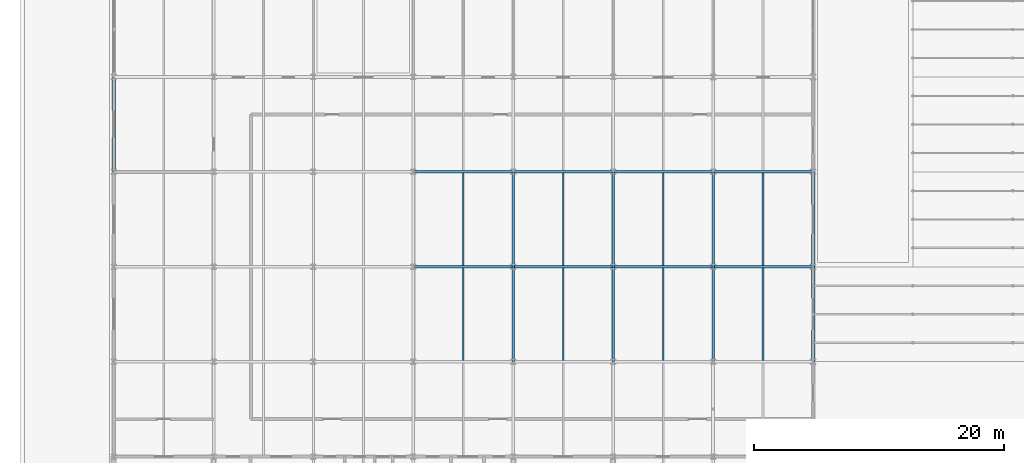
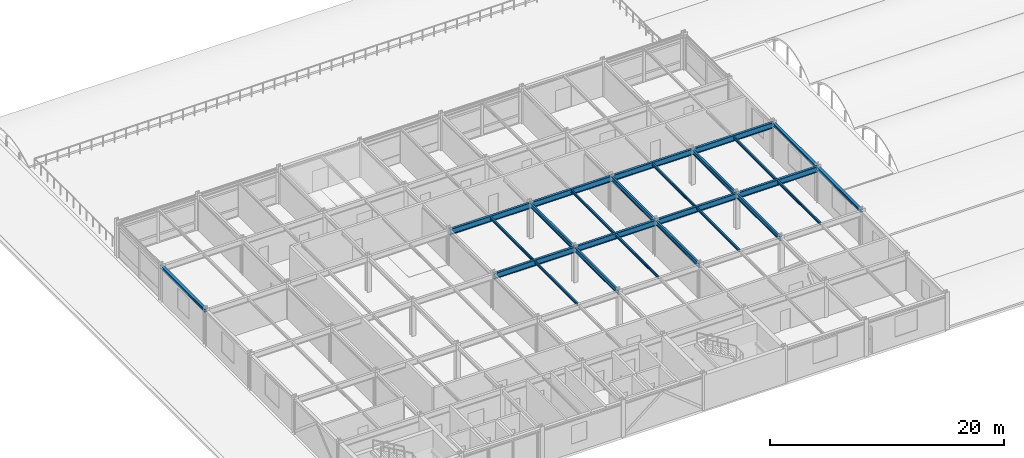
# One storey, part 4 of 46: 25 beams.
"""IFC4 building model written with IfcOpenShell, lengths in metres."""

from ifc_helpers import new_model, si_unit, direction, frame, origin, origin_2d, place, context, subcontext, project, spatial, i_section, extrude, material, material_profile, profile_set, type_object, element, save


model = new_model("IFC4")

# Units and contexts
model_context = context("Model", 3, precision=1e-05, world=origin(), true_north=direction((0.0, 1.0)))
body_context = subcontext(model_context, "Body", "Model", "MODEL_VIEW")
ifc_project = project(units=[si_unit("LENGTHUNIT", "METRE"), si_unit("AREAUNIT", "SQUARE_METRE"), si_unit("VOLUMEUNIT", "CUBIC_METRE"), si_unit("PLANEANGLEUNIT", "RADIAN"), si_unit("MASSUNIT", "GRAM", prefix="KILO")], contexts=[model_context])

# Site, building, storey
site_placement = place(None, origin())
site = spatial("IfcSite", under=ifc_project, at=site_placement, CompositionType="ELEMENT")
building_placement = place(site_placement, origin())
building = spatial("IfcBuilding", under=site, at=building_placement, Name="Shalkamar Park Central Library", CompositionType="ELEMENT")
storey_placement = place(building_placement, frame((0.0, 0.0, 20.39990234375)))
storey = spatial("IfcBuildingStorey", under=building, at=storey_placement, Name="L05", CompositionType="ELEMENT", Elevation=20.39990234375)

# Beams
ifc_material = material(Name="Steel S355", Category="steel")
ifc_material_profile_1 = material_profile(ifc_material, i_section(OverallWidth=0.135009765625, OverallDepth=0.27001953125, WebThickness=0.006591796875, FlangeThickness=0.01025390625, FilletRadius=0.014892578125, at=origin_2d()), Name="IPE 270")
ifc_profile_set_1 = profile_set([ifc_material_profile_1], Name="Steel S355")
beam_type_1 = type_object("IfcBeamType", Name="Composite Floor Joist IPE270", PredefinedType="JOIST", material=ifc_profile_set_1)
for number, where, z_axis, x_axis, name in (
    (1, (193.0, 262.907958984375, 3.525146484375), (0.0, 1.0, 0.0), (-1.0, 0.0, 0.0), "Composite Joist 10/D-1 (L05)"),
    (2, (193.0, 270.508056640625, 3.525146484375), (0.0, 1.0, 0.0), (-1.0, 0.0, 0.0), "Composite Joist 10/E-1 (L05)"),
    (3, (201.0, 262.907958984375, 3.525146484375), (0.0, 1.0, 0.0), (-1.0, 0.0, 0.0), "Composite Joist 11/D-1 (L05)"),
    (4, (201.0, 270.508056640625, 3.525146484375), (0.0, 1.0, 0.0), (-1.0, 0.0, 0.0), "Composite Joist 11/E-1 (L05)"),
    (5, (209.0, 262.907958984375, 3.525146484375), (0.0, 1.0, 0.0), (-1.0, 0.0, 0.0), "Composite Joist 12/D-1 (L05)"),
    (6, (209.0, 270.508056640625, 3.525146484375), (0.0, 1.0, 0.0), (-1.0, 0.0, 0.0), "Composite Joist 12/E-1 (L05)"),
    (7, (217.0, 262.907958984375, 3.525146484375), (0.0, 1.0, 0.0), (-1.0, 0.0, 0.0), "Composite Joist 13/D-1 (L05)"),
    (8, (217.0, 270.508056640625, 3.525146484375), (0.0, 1.0, 0.0), (-1.0, 0.0, 0.0), "Composite Joist 13/E-1 (L05)"),
):
    element("IfcBeam", number, at=place(storey_placement, frame(where, z_axis=z_axis, x_axis=x_axis)), inside=storey, type_object=beam_type_1, Name=name, PredefinedType="JOIST", context=body_context, shape_type="SweptSolid", body=[
        extrude(i_section(OverallWidth=0.135009765625, OverallDepth=0.27001953125, WebThickness=0.006591796875, FlangeThickness=0.01025390625, FilletRadius=0.014892578125, at=origin_2d()), origin(), (0.0, 0.0, 1.0), 7.384033203125),
    ])
ifc_material_profile_2 = material_profile(ifc_material, i_section(OverallWidth=0.280029296875, OverallDepth=0.27001953125, WebThickness=0.008056640625, FlangeThickness=0.012939453125, FilletRadius=0.02392578125, at=origin_2d()), Name="HEA 280")
ifc_profile_set_2 = profile_set([ifc_material_profile_2], Name="Steel S355")
beam_type_2 = type_object("IfcBeamType", Name="Perimeter Spandrel Beam HEA280", PredefinedType="SPANDREL", material=ifc_profile_set_2)
beam_1_placement = place(storey_placement, frame((165.0, 278.0, 3.525146484375), z_axis=(0.0, 1.0, 0.0), x_axis=(-1.0, 0.0, 0.0)))
element("IfcBeam", 9, at=beam_1_placement, inside=storey, type_object=beam_type_2, Name="Beam 07:F-G (L05)", PredefinedType="SPANDREL", context=body_context, shape_type="SweptSolid", body=[
    extrude(i_section(OverallWidth=0.280029296875, OverallDepth=0.27001953125, WebThickness=0.008056640625, FlangeThickness=0.012939453125, FilletRadius=0.02392578125, at=origin_2d()), origin(), (0.0, 0.0, 1.0), 7.60009765625),
])
beam_2_placement = place(storey_placement, frame((221.0, 262.800048828125, 3.525146484375), z_axis=(0.0, 1.0, 0.0), x_axis=(-1.0, 0.0, 0.0)))
element("IfcBeam", 10, at=beam_2_placement, inside=storey, type_object=beam_type_2, Name="Beam 14:D-E (L05)", PredefinedType="SPANDREL", context=body_context, shape_type="SweptSolid", body=[
    extrude(i_section(OverallWidth=0.280029296875, OverallDepth=0.27001953125, WebThickness=0.008056640625, FlangeThickness=0.012939453125, FilletRadius=0.02392578125, at=origin_2d()), origin(), (0.0, 0.0, 1.0), 7.599853515625),
])
beam_3_placement = place(storey_placement, frame((221.0, 270.39990234375, 3.525146484375), z_axis=(0.0, 1.0, 0.0), x_axis=(-1.0, 0.0, 0.0)))
element("IfcBeam", 11, at=beam_3_placement, inside=storey, type_object=beam_type_2, Name="Beam 14:E-F (L05)", PredefinedType="SPANDREL", context=body_context, shape_type="SweptSolid", body=[
    extrude(i_section(OverallWidth=0.280029296875, OverallDepth=0.27001953125, WebThickness=0.008056640625, FlangeThickness=0.012939453125, FilletRadius=0.02392578125, at=origin_2d()), origin(), (0.0, 0.0, 1.0), 7.60009765625),
])
ifc_material_profile_3 = material_profile(ifc_material, i_section(OverallWidth=0.18994140625, OverallDepth=0.449951171875, WebThickness=0.009521484375, FlangeThickness=0.0146484375, FilletRadius=0.02099609375, at=origin_2d()), Name="IPE 450")
ifc_profile_set_3 = profile_set([ifc_material_profile_3], Name="Steel S355")
beam_type_3 = type_object("IfcBeamType", Name="Primary Girder IPE450", PredefinedType="BEAM", material=ifc_profile_set_3)
beam_4_placement = place(storey_placement, frame((197.0, 262.800048828125, 3.43505859375), z_axis=(0.0, 1.0, 0.0), x_axis=(-1.0, 0.0, 0.0)))
element("IfcBeam", 12, at=beam_4_placement, inside=storey, type_object=beam_type_3, Name="Beam 11:D-E (L05)", PredefinedType="BEAM", context=body_context, shape_type="SweptSolid", body=[
    extrude(i_section(OverallWidth=0.18994140625, OverallDepth=0.449951171875, WebThickness=0.009521484375, FlangeThickness=0.0146484375, FilletRadius=0.02099609375, at=origin_2d()), origin(), (0.0, 0.0, 1.0), 7.599853515625),
])
beam_5_placement = place(storey_placement, frame((197.0, 270.39990234375, 3.43505859375), z_axis=(0.0, 1.0, 0.0), x_axis=(-1.0, 0.0, 0.0)))
element("IfcBeam", 13, at=beam_5_placement, inside=storey, type_object=beam_type_3, Name="Beam 11:E-F (L05)", PredefinedType="BEAM", context=body_context, shape_type="SweptSolid", body=[
    extrude(i_section(OverallWidth=0.18994140625, OverallDepth=0.449951171875, WebThickness=0.009521484375, FlangeThickness=0.0146484375, FilletRadius=0.02099609375, at=origin_2d()), origin(), (0.0, 0.0, 1.0), 7.60009765625),
])
beam_6_placement = place(storey_placement, frame((205.0, 262.800048828125, 3.43505859375), z_axis=(0.0, 1.0, 0.0), x_axis=(-1.0, 0.0, 0.0)))
element("IfcBeam", 14, at=beam_6_placement, inside=storey, type_object=beam_type_3, Name="Beam 12:D-E (L05)", PredefinedType="BEAM", context=body_context, shape_type="SweptSolid", body=[
    extrude(i_section(OverallWidth=0.18994140625, OverallDepth=0.449951171875, WebThickness=0.009521484375, FlangeThickness=0.0146484375, FilletRadius=0.02099609375, at=origin_2d()), origin(), (0.0, 0.0, 1.0), 7.599853515625),
])
beam_7_placement = place(storey_placement, frame((205.0, 270.39990234375, 3.43505859375), z_axis=(0.0, 1.0, 0.0), x_axis=(-1.0, 0.0, 0.0)))
element("IfcBeam", 15, at=beam_7_placement, inside=storey, type_object=beam_type_3, Name="Beam 12:E-F (L05)", PredefinedType="BEAM", context=body_context, shape_type="SweptSolid", body=[
    extrude(i_section(OverallWidth=0.18994140625, OverallDepth=0.449951171875, WebThickness=0.009521484375, FlangeThickness=0.0146484375, FilletRadius=0.02099609375, at=origin_2d()), origin(), (0.0, 0.0, 1.0), 7.60009765625),
])
beam_8_placement = place(storey_placement, frame((213.0, 262.800048828125, 3.43505859375), z_axis=(0.0, 1.0, 0.0), x_axis=(-1.0, 0.0, 0.0)))
element("IfcBeam", 16, at=beam_8_placement, inside=storey, type_object=beam_type_3, Name="Beam 13:D-E (L05)", PredefinedType="BEAM", context=body_context, shape_type="SweptSolid", body=[
    extrude(i_section(OverallWidth=0.18994140625, OverallDepth=0.449951171875, WebThickness=0.009521484375, FlangeThickness=0.0146484375, FilletRadius=0.02099609375, at=origin_2d()), origin(), (0.0, 0.0, 1.0), 7.599853515625),
])
beam_9_placement = place(storey_placement, frame((213.0, 270.39990234375, 3.43505859375), z_axis=(0.0, 1.0, 0.0), x_axis=(-1.0, 0.0, 0.0)))
element("IfcBeam", 17, at=beam_9_placement, inside=storey, type_object=beam_type_3, Name="Beam 13:E-F (L05)", PredefinedType="BEAM", context=body_context, shape_type="SweptSolid", body=[
    extrude(i_section(OverallWidth=0.18994140625, OverallDepth=0.449951171875, WebThickness=0.009521484375, FlangeThickness=0.0146484375, FilletRadius=0.02099609375, at=origin_2d()), origin(), (0.0, 0.0, 1.0), 7.60009765625),
])
ifc_material_profile_4 = material_profile(ifc_material, i_section(OverallWidth=0.219970703125, OverallDepth=0.60009765625, WebThickness=0.011962890625, FlangeThickness=0.01904296875, FilletRadius=0.02392578125, at=origin_2d()), Name="IPE 600")
ifc_profile_set_4 = profile_set([ifc_material_profile_4], Name="Steel S355")
beam_type_4 = type_object("IfcBeamType", Name="Primary Girder IPE600", PredefinedType="BEAM", material=ifc_profile_set_4)
for number, where, z_axis, x_axis, name in (
    (18, (189.0, 270.39990234375, 3.360107421875), (1.0, 0.0, 0.0), (0.0, 1.0, 0.0), "Beam E:10-11 (L05)"),
    (19, (197.0, 270.39990234375, 3.360107421875), (1.0, 0.0, 0.0), (0.0, 1.0, 0.0), "Beam E:11-12 (L05)"),
    (20, (205.0, 270.39990234375, 3.360107421875), (1.0, 0.0, 0.0), (0.0, 1.0, 0.0), "Beam E:12-13 (L05)"),
    (21, (213.0, 270.39990234375, 3.360107421875), (1.0, 0.0, 0.0), (0.0, 1.0, 0.0), "Beam E:13-14 (L05)"),
    (22, (189.0, 278.0, 3.360107421875), (1.0, 0.0, 0.0), (0.0, 1.0, 0.0), "Beam F:10-11 (L05)"),
    (23, (197.0, 278.0, 3.360107421875), (1.0, 0.0, 0.0), (0.0, 1.0, 0.0), "Beam F:11-12 (L05)"),
    (24, (205.0, 278.0, 3.360107421875), (1.0, 0.0, 0.0), (0.0, 1.0, 0.0), "Beam F:12-13 (L05)"),
    (25, (213.0, 278.0, 3.360107421875), (1.0, 0.0, 0.0), (0.0, 1.0, 0.0), "Beam F:13-14 (L05)"),
):
    element("IfcBeam", number, at=place(storey_placement, frame(where, z_axis=z_axis, x_axis=x_axis)), inside=storey, type_object=beam_type_4, Name=name, PredefinedType="BEAM", context=body_context, shape_type="SweptSolid", body=[
        extrude(i_section(OverallWidth=0.219970703125, OverallDepth=0.60009765625, WebThickness=0.011962890625, FlangeThickness=0.01904296875, FilletRadius=0.02392578125, at=origin_2d()), origin(), (0.0, 0.0, 1.0), 8.0),
    ])

save(model, "model.ifc")
